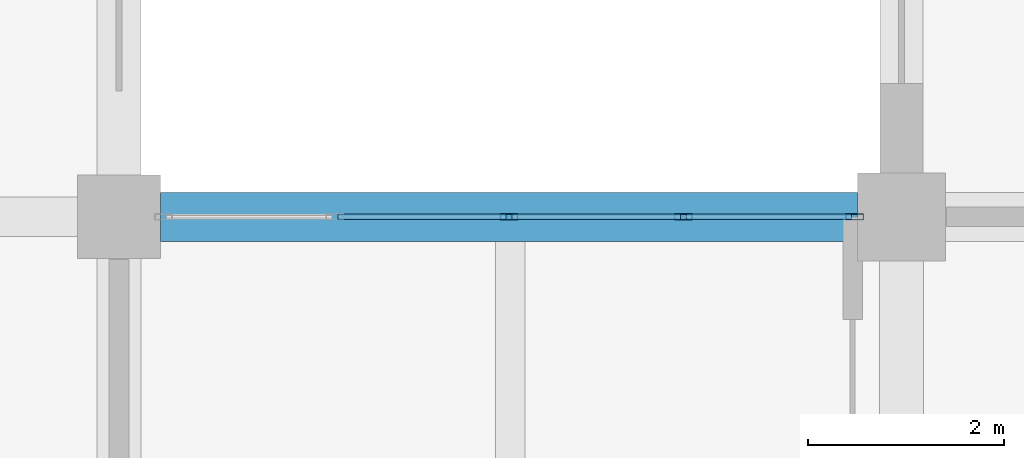
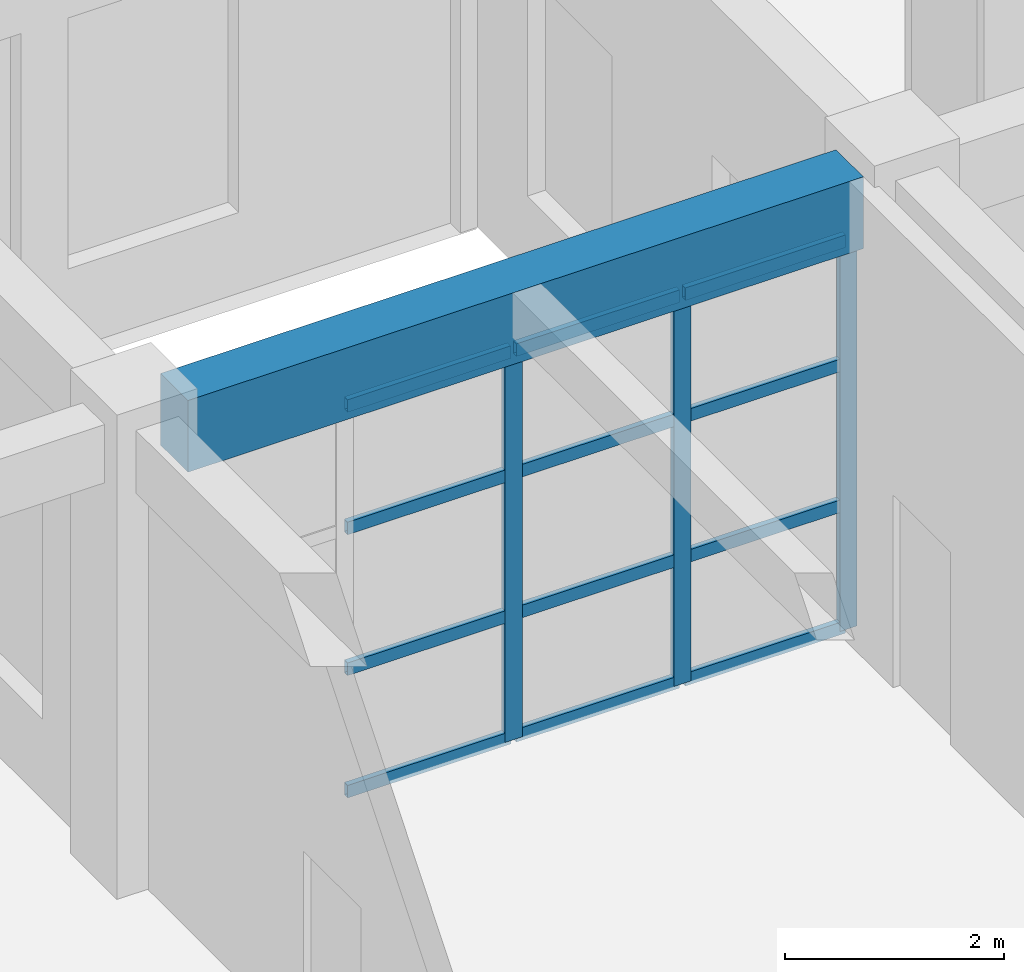
# One storey, part 43 of 95: 15 members, 1 beam, 1 element without a shape of its own.
"""IFC4 building model written with IfcOpenShell, lengths in metres."""

from ifc_helpers import new_model, si_unit, direction, frame, origin, origin_2d, place, context, subcontext, project, spatial, rectangle, hollow_rectangle, extrude, material, material_profile, profile_set, type_object, element, aggregate, save


model = new_model("IFC4")

# Units and contexts
model_context = context("Model", 3, precision=1e-05, world=origin(), true_north=direction((0.0, 1.0)))
body_context = subcontext(model_context, "Body", "Model", "MODEL_VIEW")
ifc_project = project(units=[si_unit("LENGTHUNIT", "METRE"), si_unit("AREAUNIT", "SQUARE_METRE"), si_unit("VOLUMEUNIT", "CUBIC_METRE"), si_unit("PLANEANGLEUNIT", "RADIAN"), si_unit("MASSUNIT", "GRAM", prefix="KILO")], contexts=[model_context])

# Site, building, storey
site_placement = place(None, origin())
site = spatial("IfcSite", under=ifc_project, at=site_placement, CompositionType="ELEMENT")
building_placement = place(site_placement, origin())
building = spatial("IfcBuilding", under=site, at=building_placement, Name="Zantavel Square City Hall", CompositionType="ELEMENT")
storey_placement = place(building_placement, origin())
storey = spatial("IfcBuildingStorey", under=building, at=storey_placement, Name="L01", CompositionType="ELEMENT", Elevation=0.0)

# Curtain wall, members
ifc_material_1 = material(Name="Anodised aluminium 6063-T6", Category="aluminium")
curtain_wall_type = type_object("IfcCurtainWallType", Name="Curtain Wall TRV1 7125x4360", PredefinedType="USERDEFINED", material=ifc_material_1)
curtain_wall_placement = place(storey_placement, origin())
curtain_wall = element("IfcCurtainWall", 1, at=curtain_wall_placement, inside=storey, type_object=curtain_wall_type, Name="L01 Glazed Curtain Wall CW-L01-004", ObjectType="GLAZED CURTAIN WALL", PredefinedType="USERDEFINED")
ifc_material_profile_1 = material_profile(ifc_material_1, hollow_rectangle(XDim=0.06494140625, YDim=0.179931640625, WallThickness=0.00390625, at=origin_2d()), Name="ALU 65x180x4")
ifc_profile_set_1 = profile_set([ifc_material_profile_1], Name="Anodised aluminium 6063-T6")
member_type_1 = type_object("IfcMemberType", Name="CW Mullion ALU 65x180x4", PredefinedType="MULLION", material=ifc_profile_set_1)
member_1_placement = place(storey_placement, frame((59.987548828125, 68.39990234375, 0.0), z_axis=(0.0, 0.0, 1.0), x_axis=(0.0, 1.0, 0.0)))
member_1 = element("IfcMember", 2, at=member_1_placement, type_object=member_type_1, Name="CW-004 mullion 3", PredefinedType="MULLION", context=body_context, shape_type="SweptSolid", body=[
    extrude(hollow_rectangle(XDim=0.06494140625, YDim=0.179931640625, WallThickness=0.00390625, at=origin_2d()), origin(), (0.0, 0.0, 1.0), 4.360107421875),
])
member_2_placement = place(storey_placement, frame((61.768798828125, 68.39990234375, 0.0), z_axis=(0.0, 0.0, 1.0), x_axis=(0.0, 1.0, 0.0)))
member_2 = element("IfcMember", 3, at=member_2_placement, type_object=member_type_1, Name="CW-004 mullion 4", PredefinedType="MULLION", context=body_context, shape_type="SweptSolid", body=[
    extrude(hollow_rectangle(XDim=0.06494140625, YDim=0.179931640625, WallThickness=0.00390625, at=origin_2d()), origin(), (0.0, 0.0, 1.0), 4.360107421875),
])
member_3_placement = place(storey_placement, frame((63.52001953125, 68.39990234375, 0.0), z_axis=(0.0, 0.0, 1.0), x_axis=(0.0, 1.0, 0.0)))
member_3 = element("IfcMember", 4, at=member_3_placement, type_object=member_type_1, Name="CW-004 mullion 5", PredefinedType="MULLION", context=body_context, shape_type="SweptSolid", body=[
    extrude(hollow_rectangle(XDim=0.06494140625, YDim=0.179931640625, WallThickness=0.00390625, at=origin_2d()), origin(), (0.0, 0.0, 1.0), 4.360107421875),
])
ifc_material_profile_2 = material_profile(ifc_material_1, hollow_rectangle(XDim=0.06005859375, YDim=0.139892578125, WallThickness=0.00390625, at=origin_2d()), Name="ALU 60x140x4")
ifc_profile_set_2 = profile_set([ifc_material_profile_2], Name="Anodised aluminium 6063-T6")
member_type_2 = type_object("IfcMemberType", Name="CW Transom ALU 60x140x4", PredefinedType="USERDEFINED", material=ifc_profile_set_2)
member_4_placement = place(storey_placement, frame((58.236328125, 68.39990234375, 0.030029296875), z_axis=(1.0, 0.0, 0.0), x_axis=(0.0, 1.0, 0.0)))
member_4 = element("IfcMember", 5, at=member_4_placement, type_object=member_type_2, Name="CW-004 transom 2.1", ObjectType="TRANSOM", PredefinedType="USERDEFINED", context=body_context, shape_type="SweptSolid", body=[
    extrude(hollow_rectangle(XDim=0.06005859375, YDim=0.139892578125, WallThickness=0.00390625, at=origin_2d()), origin(), (0.0, 0.0, 1.0), 1.72119140625),
])
member_5_placement = place(storey_placement, frame((58.236328125, 68.39990234375, 1.39501953125), z_axis=(1.0, 0.0, 0.0), x_axis=(0.0, 1.0, 0.0)))
member_5 = element("IfcMember", 6, at=member_5_placement, type_object=member_type_2, Name="CW-004 transom 2.2", ObjectType="TRANSOM", PredefinedType="USERDEFINED", context=body_context, shape_type="SweptSolid", body=[
    extrude(hollow_rectangle(XDim=0.06005859375, YDim=0.139892578125, WallThickness=0.00390625, at=origin_2d()), origin(), (0.0, 0.0, 1.0), 1.72119140625),
])
member_6_placement = place(storey_placement, frame((58.236328125, 68.39990234375, 2.965087890625), z_axis=(1.0, 0.0, 0.0), x_axis=(0.0, 1.0, 0.0)))
member_6 = element("IfcMember", 7, at=member_6_placement, type_object=member_type_2, Name="CW-004 transom 2.3", ObjectType="TRANSOM", PredefinedType="USERDEFINED", context=body_context, shape_type="SweptSolid", body=[
    extrude(hollow_rectangle(XDim=0.06005859375, YDim=0.139892578125, WallThickness=0.00390625, at=origin_2d()), origin(), (0.0, 0.0, 1.0), 1.72119140625),
])
member_7_placement = place(storey_placement, frame((58.236328125, 68.39990234375, 4.330078125), z_axis=(1.0, 0.0, 0.0), x_axis=(0.0, 1.0, 0.0)))
member_7 = element("IfcMember", 8, at=member_7_placement, type_object=member_type_2, Name="CW-004 transom 2.4", ObjectType="TRANSOM", PredefinedType="USERDEFINED", context=body_context, shape_type="SweptSolid", body=[
    extrude(hollow_rectangle(XDim=0.06005859375, YDim=0.139892578125, WallThickness=0.00390625, at=origin_2d()), origin(), (0.0, 0.0, 1.0), 1.72119140625),
])
member_8_placement = place(storey_placement, frame((60.017578125, 68.39990234375, 0.030029296875), z_axis=(1.0, 0.0, 0.0), x_axis=(0.0, 1.0, 0.0)))
member_8 = element("IfcMember", 9, at=member_8_placement, type_object=member_type_2, Name="CW-004 transom 3.1", ObjectType="TRANSOM", PredefinedType="USERDEFINED", context=body_context, shape_type="SweptSolid", body=[
    extrude(hollow_rectangle(XDim=0.06005859375, YDim=0.139892578125, WallThickness=0.00390625, at=origin_2d()), origin(), (0.0, 0.0, 1.0), 1.72119140625),
])
member_9_placement = place(storey_placement, frame((60.017578125, 68.39990234375, 1.39501953125), z_axis=(1.0, 0.0, 0.0), x_axis=(0.0, 1.0, 0.0)))
member_9 = element("IfcMember", 10, at=member_9_placement, type_object=member_type_2, Name="CW-004 transom 3.2", ObjectType="TRANSOM", PredefinedType="USERDEFINED", context=body_context, shape_type="SweptSolid", body=[
    extrude(hollow_rectangle(XDim=0.06005859375, YDim=0.139892578125, WallThickness=0.00390625, at=origin_2d()), origin(), (0.0, 0.0, 1.0), 1.72119140625),
])
member_10_placement = place(storey_placement, frame((60.017578125, 68.39990234375, 2.965087890625), z_axis=(1.0, 0.0, 0.0), x_axis=(0.0, 1.0, 0.0)))
member_10 = element("IfcMember", 11, at=member_10_placement, type_object=member_type_2, Name="CW-004 transom 3.3", ObjectType="TRANSOM", PredefinedType="USERDEFINED", context=body_context, shape_type="SweptSolid", body=[
    extrude(hollow_rectangle(XDim=0.06005859375, YDim=0.139892578125, WallThickness=0.00390625, at=origin_2d()), origin(), (0.0, 0.0, 1.0), 1.72119140625),
])
member_11_placement = place(storey_placement, frame((60.017578125, 68.39990234375, 4.330078125), z_axis=(1.0, 0.0, 0.0), x_axis=(0.0, 1.0, 0.0)))
member_11 = element("IfcMember", 12, at=member_11_placement, type_object=member_type_2, Name="CW-004 transom 3.4", ObjectType="TRANSOM", PredefinedType="USERDEFINED", context=body_context, shape_type="SweptSolid", body=[
    extrude(hollow_rectangle(XDim=0.06005859375, YDim=0.139892578125, WallThickness=0.00390625, at=origin_2d()), origin(), (0.0, 0.0, 1.0), 1.72119140625),
])
member_12_placement = place(storey_placement, frame((61.798828125, 68.39990234375, 0.030029296875), z_axis=(1.0, 0.0, 0.0), x_axis=(0.0, 1.0, 0.0)))
member_12 = element("IfcMember", 13, at=member_12_placement, type_object=member_type_2, Name="CW-004 transom 4.1", ObjectType="TRANSOM", PredefinedType="USERDEFINED", context=body_context, shape_type="SweptSolid", body=[
    extrude(hollow_rectangle(XDim=0.06005859375, YDim=0.139892578125, WallThickness=0.00390625, at=origin_2d()), origin(), (0.0, 0.0, 1.0), 1.691162109375),
])
member_13_placement = place(storey_placement, frame((61.798828125, 68.39990234375, 1.39501953125), z_axis=(1.0, 0.0, 0.0), x_axis=(0.0, 1.0, 0.0)))
member_13 = element("IfcMember", 14, at=member_13_placement, type_object=member_type_2, Name="CW-004 transom 4.2", ObjectType="TRANSOM", PredefinedType="USERDEFINED", context=body_context, shape_type="SweptSolid", body=[
    extrude(hollow_rectangle(XDim=0.06005859375, YDim=0.139892578125, WallThickness=0.00390625, at=origin_2d()), origin(), (0.0, 0.0, 1.0), 1.691162109375),
])
member_14_placement = place(storey_placement, frame((61.798828125, 68.39990234375, 2.965087890625), z_axis=(1.0, 0.0, 0.0), x_axis=(0.0, 1.0, 0.0)))
member_14 = element("IfcMember", 15, at=member_14_placement, type_object=member_type_2, Name="CW-004 transom 4.3", ObjectType="TRANSOM", PredefinedType="USERDEFINED", context=body_context, shape_type="SweptSolid", body=[
    extrude(hollow_rectangle(XDim=0.06005859375, YDim=0.139892578125, WallThickness=0.00390625, at=origin_2d()), origin(), (0.0, 0.0, 1.0), 1.691162109375),
])
member_15_placement = place(storey_placement, frame((61.798828125, 68.39990234375, 4.330078125), z_axis=(1.0, 0.0, 0.0), x_axis=(0.0, 1.0, 0.0)))
member_15 = element("IfcMember", 16, at=member_15_placement, type_object=member_type_2, Name="CW-004 transom 4.4", ObjectType="TRANSOM", PredefinedType="USERDEFINED", context=body_context, shape_type="SweptSolid", body=[
    extrude(hollow_rectangle(XDim=0.06005859375, YDim=0.139892578125, WallThickness=0.00390625, at=origin_2d()), origin(), (0.0, 0.0, 1.0), 1.691162109375),
])
aggregate(curtain_wall, [member_1, member_2, member_3, member_4, member_5, member_6, member_7, member_8, member_9, member_10, member_11, member_12, member_13, member_14, member_15])

# Beam
ifc_material_2 = material(Name="Concrete C35/45", Category="concrete")
ifc_material_profile_3 = material_profile(ifc_material_2, rectangle(XDim=0.5, YDim=0.800048828125, at=origin_2d()), Name="RC 500x800")
ifc_profile_set_3 = profile_set([ifc_material_profile_3], Name="Concrete C35/45")
beam_type = type_object("IfcBeamType", Name="Primary Girder RC 500x800 C35/45", PredefinedType="BEAM", material=ifc_profile_set_3)
beam_placement = place(storey_placement, frame((56.425048828125, 68.39990234375, 4.760009765625), z_axis=(1.0, 0.0, 0.0), x_axis=(0.0, 1.0, 0.0)))
element("IfcBeam", 17, at=beam_placement, inside=storey, type_object=beam_type, Name="L01 Girder BMX-L01-0560-0684", PredefinedType="BEAM", context=body_context, shape_type="SweptSolid", body=[
    extrude(rectangle(XDim=0.5, YDim=0.800048828125, at=origin_2d()), origin(), (0.0, 0.0, 1.0), 7.125),
])

save(model, "model.ifc")
